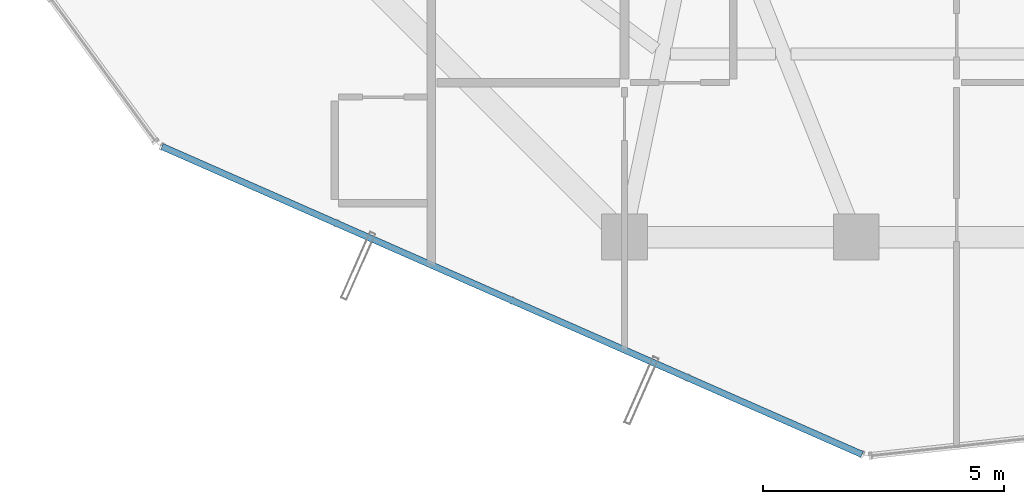
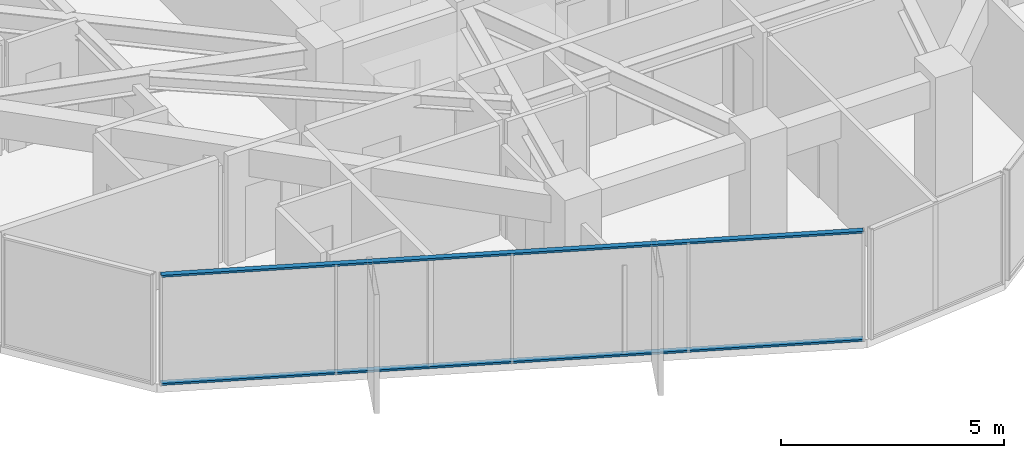
# One storey, part 3 of 32: 2 members, 1 element without a shape of its own.
"""IFC4 building model written with IfcOpenShell, lengths in metres."""

from ifc_helpers import new_model, si_unit, direction, frame, origin, origin_2d, place, context, subcontext, project, spatial, hollow_rectangle, extrude, source, transform, mapped, material, layer, layer_set, material_profile, profile_set, type_object, element, aggregate, save


model = new_model("IFC4")

# Units and contexts
model_context = context("Model", 3, precision=1e-05, world=origin(), true_north=direction((0.0, 1.0)))
body_context = subcontext(model_context, "Body", "Model", "MODEL_VIEW")
ifc_project = project(units=[si_unit("LENGTHUNIT", "METRE"), si_unit("AREAUNIT", "SQUARE_METRE"), si_unit("VOLUMEUNIT", "CUBIC_METRE"), si_unit("PLANEANGLEUNIT", "RADIAN"), si_unit("MASSUNIT", "GRAM", prefix="KILO")], contexts=[model_context])

# Site, building, storey
site_placement = place(None, origin())
site = spatial("IfcSite", under=ifc_project, at=site_placement, CompositionType="ELEMENT")
building_placement = place(site_placement, origin())
building = spatial("IfcBuilding", under=site, at=building_placement, Name="Veraguas Prism Commons", CompositionType="ELEMENT")
storey_placement = place(building_placement, frame((0.0, 0.0, 185.35009765625)))
storey = spatial("IfcBuildingStorey", under=building, at=storey_placement, Name="L52", CompositionType="ELEMENT", Elevation=185.35009765625)

# Curtain wall, members
ifc_material = material(Name="Anodised aluminium EN AW-6063 T6", Category="aluminium")
ifc_layer = layer(ifc_material, 0.14990234375, Name="Unitised Flush Curtain Wall Zone 3", Category="aluminium")
ifc_layer_set = layer_set([ifc_layer], Name="Anodised aluminium EN AW-6063 T6")
curtain_wall_type = type_object("IfcCurtainWallType", Name="Unitised Flush Curtain Wall Zone 3", PredefinedType="NOTDEFINED", material=ifc_layer_set)
curtain_wall_placement = place(storey_placement, origin())
curtain_wall = element("IfcCurtainWall", 1, at=curtain_wall_placement, inside=storey, type_object=curtain_wall_type, Name="Tower Facade Curtain Wall L52-F4", PredefinedType="NOTDEFINED")
ifc_material_profile = material_profile(ifc_material, hollow_rectangle(XDim=0.054931640625, YDim=0.135009765625, WallThickness=0.0029296875, at=origin_2d()), Name="AL55X135X3")
ifc_profile_set = profile_set([ifc_material_profile], Name="Anodised aluminium EN AW-6063 T6")
member_type = type_object("IfcMemberType", Name="Curtain Wall Transom Standard AL 55x135x3", PredefinedType="USERDEFINED", material=ifc_profile_set)
shared_shape = source(origin(), body_context, "Body", "SweptSolid", [
    extrude(hollow_rectangle(XDim=0.054931640625, YDim=0.135009765625, WallThickness=0.0029296875, at=origin_2d()), origin(), (0.0, 0.0, 1.0), 15.842529296875),
])
member_1_placement = place(storey_placement, frame((9.619140625, 10.977294921875, 0.02734375), z_axis=(0.915383189045, -0.402583677283, 0.0), x_axis=(0.0, 0.0, 1.0)))
member_1 = element("IfcMember", 2, at=member_1_placement, type_object=member_type, Name="CW-Z3 Transom 1", ObjectType="TRANSOM", PredefinedType="USERDEFINED", context=body_context, shape_type="MappedRepresentation", body=[
    mapped(shared_shape, transform((0.0, 0.0, 0.0), scale=1.0)),
])
member_2_placement = place(storey_placement, frame((9.619140625, 10.977294921875, 2.9873046875), z_axis=(0.915383189045, -0.402583677283, 0.0), x_axis=(0.0, 0.0, 1.0)))
member_2 = element("IfcMember", 3, at=member_2_placement, type_object=member_type, Name="CW-Z3 Transom 2", ObjectType="TRANSOM", PredefinedType="USERDEFINED", context=body_context, shape_type="MappedRepresentation", body=[
    mapped(shared_shape, transform((0.0, 0.0, 0.0), scale=1.0)),
])
aggregate(curtain_wall, [member_1, member_2])

save(model, "model.ifc")
